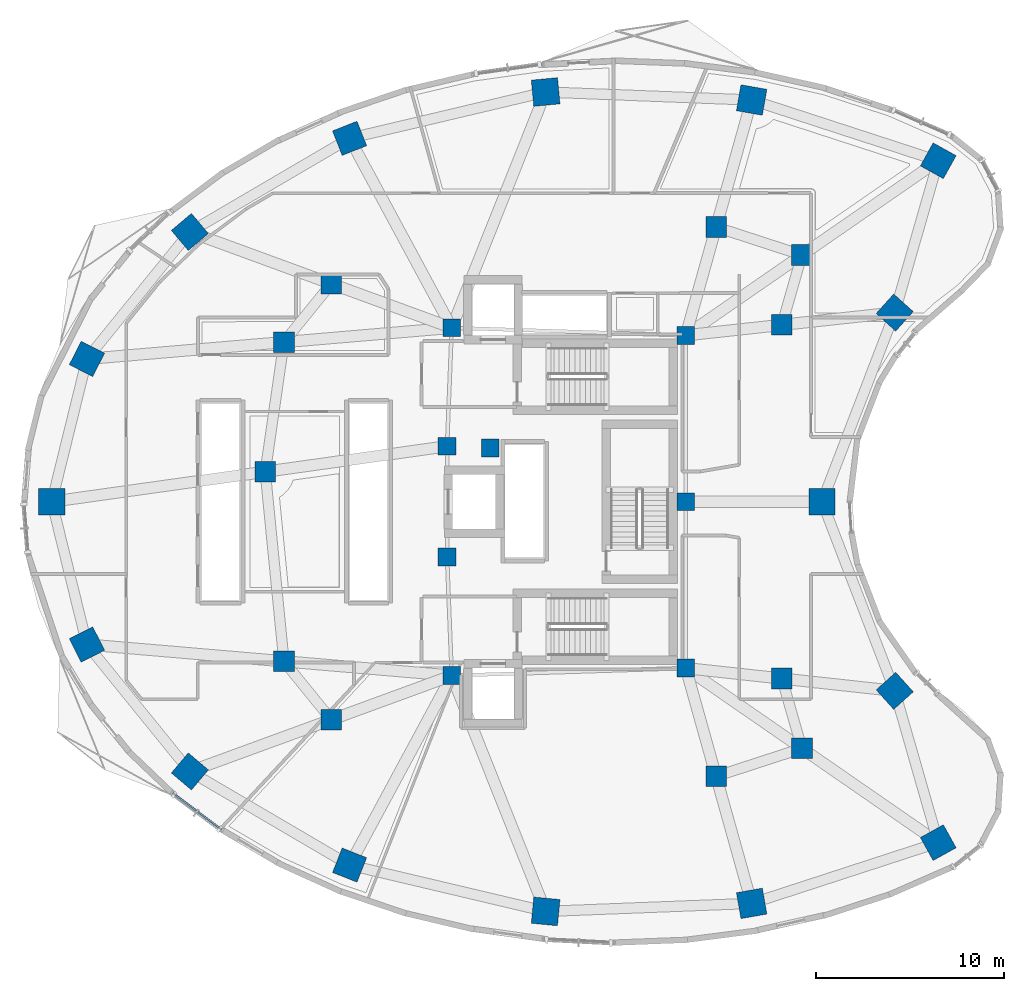
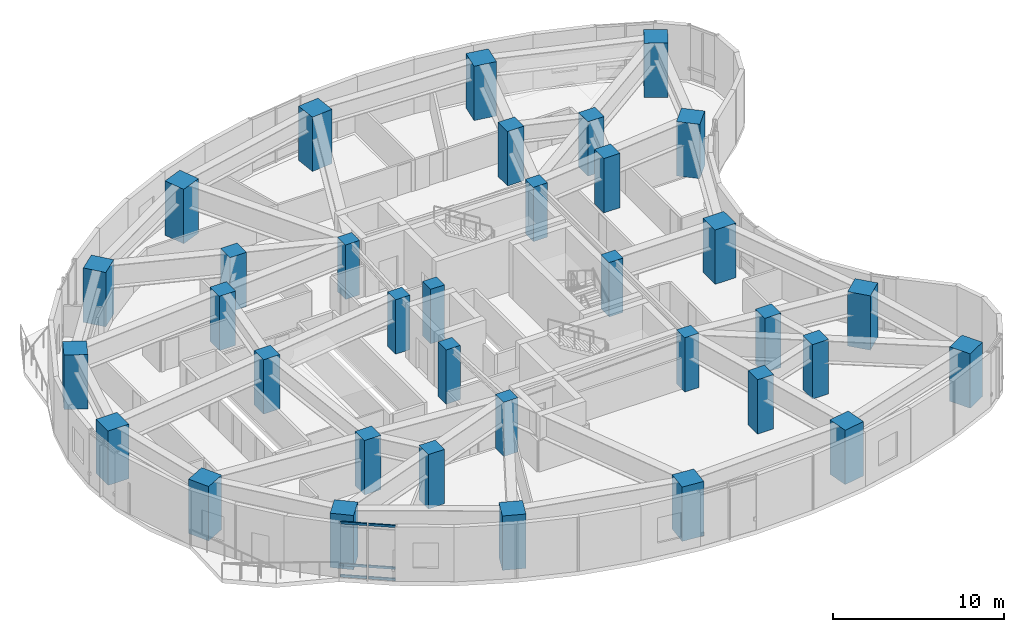
# One storey, part 1 of 13: 35 columns, 6 members, 1 element without a shape of its own.
"""IFC4 building model written with IfcOpenShell, lengths in metres."""

from ifc_helpers import new_model, si_unit, direction, frame, origin, origin_2d, place, context, subcontext, project, spatial, rectangle, extrude, material, layer, layer_set, material_profile, profile_set, type_object, element, aggregate, save


model = new_model("IFC4")

# Units and contexts
model_context = context("Model", 3, precision=1e-05, world=origin(), true_north=direction((0.0, 1.0)))
body_context = subcontext(model_context, "Body", "Model", "MODEL_VIEW")
ifc_project = project(units=[si_unit("LENGTHUNIT", "METRE"), si_unit("AREAUNIT", "SQUARE_METRE"), si_unit("VOLUMEUNIT", "CUBIC_METRE"), si_unit("PLANEANGLEUNIT", "RADIAN"), si_unit("MASSUNIT", "GRAM", prefix="KILO")], contexts=[model_context])

# Site, building, storey
site_placement = place(None, origin())
site = spatial("IfcSite", under=ifc_project, at=site_placement, CompositionType="ELEMENT")
building_placement = place(site_placement, origin())
building = spatial("IfcBuilding", under=site, at=building_placement, Name="Korentha Bioscience Tower", CompositionType="ELEMENT")
storey_placement = place(building_placement, frame((0.0, 0.0, 80.39990234375)))
storey = spatial("IfcBuildingStorey", under=building, at=storey_placement, Name="L18", CompositionType="ELEMENT", Elevation=80.39990234375)

# Columns
ifc_material_1 = material(Name="Concrete C65", Category="concrete")
ifc_material_profile_1 = material_profile(ifc_material_1, rectangle(XDim=0.949951171875, YDim=0.949951171875, at=origin_2d()), Name="Concrete C65")
ifc_profile_set_1 = profile_set([ifc_material_profile_1], Name="Concrete C65 (COL-CP09)")
column_type_1 = type_object("IfcColumnType", Name="Core Pilaster Column RC 950x950", PredefinedType="PILASTER", material=ifc_profile_set_1)
for number, where, z_axis, x_axis, name in (
    (1, (37.550048828125, 35.85009765625, -0.00048828125), (0.0, 0.0, 1.0), (1.0, 0.0, 0.0), "L18 Core Pilaster CP-01"),
    (2, (25.10009765625, 36.25, -0.00048828125), (0.0, 0.0, 1.0), (1.0, 0.0, 0.0), "L18 Core Pilaster CP-02"),
    (3, (24.85009765625, 29.949951171875, -0.00048828125), (0.0, 0.0, 1.0), (1.0, 0.0, 0.0), "L18 Core Pilaster CP-03"),
    (4, (27.14990234375, 29.85009765625, -0.00048828125), (0.0, 0.0, 1.0), (1.0, 0.0, 0.0), "L18 Core Pilaster CP-04"),
    (5, (24.85009765625, 24.050048828125, -0.00048828125), (0.0, 0.0, 1.0), (1.0, 0.0, 0.0), "L18 Core Pilaster CP-05"),
    (6, (25.10009765625, 17.75, -0.00048828125), (0.0, 0.0, 1.0), (1.0, 0.0, 0.0), "L18 Core Pilaster CP-06"),
    (7, (37.550048828125, 18.14990234375, -0.00048828125), (0.0, 0.0, 1.0), (1.0, 0.0, 0.0), "L18 Core Pilaster CP-07"),
    (8, (37.550048828125, 27.0, -0.00048828125), (0.0, 0.0, 1.0), (1.0, 0.0, 0.0), "L18 Core Pilaster CP-08"),
):
    element("IfcColumn", number, at=place(storey_placement, frame(where, z_axis=z_axis, x_axis=x_axis)), inside=storey, type_object=column_type_1, Name=name, PredefinedType="PILASTER", context=body_context, shape_type="SweptSolid", body=[
        extrude(rectangle(XDim=0.949951171875, YDim=0.949951171875, at=origin_2d()), origin(), (0.0, 0.0, 1.0), 3.881103515625),
    ])
ifc_material_2 = material(Name="Concrete C80", Category="concrete")
ifc_material_profile_2 = material_profile(ifc_material_2, rectangle(XDim=1.10009765625, YDim=1.10009765625, at=origin_2d()), Name="Concrete C80")
ifc_profile_set_2 = profile_set([ifc_material_profile_2], Name="Concrete C80 (COL-MR11)")
column_type_2 = type_object("IfcColumnType", Name="Mid-Ring Lab Column RC 1100x1100", PredefinedType="COLUMN", material=ifc_profile_set_2)
for number, where, z_axis, x_axis, name in (
    (9, (43.7265625, 40.121337890625, -0.00048828125), (0.0, 0.0, 1.0), (1.0, 0.0, 0.0), "L18 Mid-Ring Column 01"),
    (10, (39.1611328125, 41.607666015625, -0.00048828125), (0.0, 0.0, 1.0), (1.0, 0.0, 0.0), "L18 Mid-Ring Column 02"),
    (11, (18.692138671875, 38.5947265625, -0.00048828125), (0.0, 0.0, 1.0), (1.0, 0.0, 0.0), "L18 Mid-Ring Column 05"),
    (12, (16.174072265625, 35.489013671875, -0.00048828125), (0.0, 0.0, 1.0), (1.0, 0.0, 0.0), "L18 Mid-Ring Column 06"),
    (13, (15.1787109375, 28.593505859375, -0.00048828125), (0.0, 0.0, 1.0), (1.0, 0.0, 0.0), "L18 Mid-Ring Column 07"),
    (14, (16.174072265625, 18.510986328125, -0.00048828125), (0.0, 0.0, 1.0), (1.0, 0.0, 0.0), "L18 Mid-Ring Column 08"),
    (15, (18.692138671875, 15.4052734375, -0.00048828125), (0.0, 0.0, 1.0), (1.0, 0.0, 0.0), "L18 Mid-Ring Column 09"),
    (16, (39.1611328125, 12.392333984375, -0.00048828125), (0.0, 0.0, 1.0), (1.0, 0.0, 0.0), "L18 Mid-Ring Column 12"),
    (17, (43.7265625, 13.878662109375, -0.00048828125), (0.0, 0.0, 1.0), (1.0, 0.0, 0.0), "L18 Mid-Ring Column 13"),
    (18, (42.66162109375, 17.593017578125, -0.00048828125), (0.0, 0.0, 1.0), (1.0, 0.0, 0.0), "L18 Mid-Ring Column 14"),
    (19, (42.66162109375, 36.406982421875, -0.00048828125), (0.0, 0.0, 1.0), (1.0, 0.0, 0.0), "L18 Mid-Ring Column 16"),
):
    element("IfcColumn", number, at=place(storey_placement, frame(where, z_axis=z_axis, x_axis=x_axis)), inside=storey, type_object=column_type_2, Name=name, PredefinedType="COLUMN", context=body_context, shape_type="SweptSolid", body=[
        extrude(rectangle(XDim=1.10009765625, YDim=1.10009765625, at=origin_2d()), origin(), (0.0, 0.0, 1.0), 3.881103515625),
    ])
ifc_material_profile_3 = material_profile(ifc_material_2, rectangle(XDim=1.39990234375, YDim=1.39990234375, at=origin_2d()), Name="Concrete C80")
ifc_profile_set_3 = profile_set([ifc_material_profile_3], Name="Concrete C80 (COL-P14)")
column_type_3 = type_object("IfcColumnType", Name="Perimeter Column RC 1400x1400", PredefinedType="COLUMN", material=ifc_profile_set_3)
for number, where, z_axis, x_axis, name in (
    (20, (50.977294921875, 45.135498046875, -0.00048828125), (0.0, 0.0, 1.0), (-0.874535078577, 0.484962262797, 0.0), "L18 Perimeter Column 01"),
    (21, (41.052490234375, 48.36669921875, -0.00048828125), (0.0, 0.0, 1.0), (-0.984868307662, 0.173304404339, 0.0), "L18 Perimeter Column 02"),
    (22, (30.09423828125, 48.79248046875, -0.00048828125), (0.0, 0.0, 1.0), (0.995462868748, 0.095150811579, 0.0), "L18 Perimeter Column 03"),
    (23, (19.66650390625, 46.328857421875, -0.00048828125), (0.0, 0.0, 1.0), (0.930225540858, 0.366988341962, 0.0), "L18 Perimeter Column 04"),
    (24, (11.169921875, 41.34716796875, -0.00048828125), (0.0, 0.0, 1.0), (0.764246456939, 0.644924300253, 0.0), "L18 Perimeter Column 05"),
    (25, (5.69580078125, 34.595703125, -0.00048828125), (0.0, 0.0, 1.0), (0.453057191132, 0.891481453292, 0.0), "L18 Perimeter Column 06"),
    (26, (3.825439453125, 27.000732421875, -0.00048828125), (0.0, 0.0, 1.0), (0.0, 1.0, 0.0), "L18 Perimeter Column 07"),
    (27, (5.69580078125, 19.404296875, -0.00048828125), (0.0, 0.0, 1.0), (-0.453057191132, 0.891481453292, 0.0), "L18 Perimeter Column 08"),
    (28, (11.169921875, 12.65283203125, -0.00048828125), (0.0, 0.0, 1.0), (-0.764246456939, 0.644924300253, 0.0), "L18 Perimeter Column 09"),
    (29, (19.66650390625, 7.671142578125, -0.00048828125), (0.0, 0.0, 1.0), (-0.930225540858, 0.366988341962, 0.0), "L18 Perimeter Column 10"),
    (30, (30.09423828125, 5.20751953125, -0.00048828125), (0.0, 0.0, 1.0), (-0.995462868748, 0.095150811579, 0.0), "L18 Perimeter Column 11"),
    (31, (41.052490234375, 5.63330078125, -0.00048828125), (0.0, 0.0, 1.0), (0.984868307662, 0.173304404339, 0.0), "L18 Perimeter Column 12"),
    (32, (50.977294921875, 8.864501953125, -0.00048828125), (0.0, 0.0, 1.0), (0.874535078577, 0.484962262797, 0.0), "L18 Perimeter Column 13"),
    (33, (48.661865234375, 16.939208984375, -0.00048828125), (0.0, 0.0, 1.0), (-0.669130606359, 0.743144825477, 0.0), "L18 Perimeter Column 14"),
    (34, (44.798583984375, 27.0, -0.00048828125), (0.0, 0.0, 1.0), (0.0, 1.0, 0.0), "L18 Perimeter Column 15"),
    (35, (48.661865234375, 37.060791015625, -0.00048828125), (0.0, 0.0, 1.0), (0.669130606359, 0.743144825477, 0.0), "L18 Perimeter Column 16"),
):
    element("IfcColumn", number, at=place(storey_placement, frame(where, z_axis=z_axis, x_axis=x_axis)), inside=storey, type_object=column_type_3, Name=name, PredefinedType="COLUMN", context=body_context, shape_type="SweptSolid", body=[
        extrude(rectangle(XDim=1.39990234375, YDim=1.39990234375, at=origin_2d()), origin(), (0.0, 0.0, 1.0), 3.881103515625),
    ])

# Curtain wall, members
ifc_material_3 = material(Name="Thermally Broken Aluminium Frame", Category="aluminium")
ifc_layer = layer(ifc_material_3, 0.219970703125, Name="Thermally Broken Aluminium Frame")
ifc_layer_set = layer_set([ifc_layer], Name="Thermally Broken Aluminium Frame (CW-T2)")
curtain_wall_type = type_object("IfcCurtainWallType", Name="Solar-Screened Lab Unitised Curtain Wall CW-T2", PredefinedType="USERDEFINED", material=ifc_layer_set)
curtain_wall_placement = place(storey_placement, origin())
curtain_wall = element("IfcCurtainWall", 36, at=curtain_wall_placement, inside=storey, type_object=curtain_wall_type, Name="L18 Curtain Wall 25", ObjectType="UNITISED", PredefinedType="USERDEFINED")
ifc_material_4 = material(Name="Anodised Aluminium 6063-T6", Category="aluminium")
ifc_material_profile_4 = material_profile(ifc_material_4, rectangle(XDim=0.090087890625, YDim=0.159912109375, at=origin_2d()), Name="Anodised Aluminium 6063-T6")
ifc_profile_set_4 = profile_set([ifc_material_profile_4], Name="Anodised Aluminium 6063-T6 (CW-TRN)")
member_type = type_object("IfcMemberType", Name="Transom RECT 90x160", PredefinedType="USERDEFINED", material=ifc_profile_set_4)
member_1_placement = place(storey_placement, frame((10.2578125, 11.51171875, 0.045166015625), z_axis=(0.8008676283, -0.598841416354, 0.0), x_axis=(0.598841416354, 0.8008676283, 0.0)))
member_1 = element("IfcMember", 37, at=member_1_placement, type_object=member_type, Name="CW-L18-25 Bay 1 Transom 1", ObjectType="TRANSOM", PredefinedType="USERDEFINED", context=body_context, shape_type="SweptSolid", body=[
    extrude(rectangle(XDim=0.090087890625, YDim=0.159912109375, at=origin_2d()), origin(), (0.0, 0.0, 1.0), 1.58544921875),
])
member_2_placement = place(storey_placement, frame((10.2578125, 11.51171875, 0.85009765625), z_axis=(0.8008676283, -0.598841416354, 0.0), x_axis=(0.598841416354, 0.8008676283, 0.0)))
member_2 = element("IfcMember", 38, at=member_2_placement, type_object=member_type, Name="CW-L18-25 Bay 1 Transom 2", ObjectType="TRANSOM", PredefinedType="USERDEFINED", context=body_context, shape_type="SweptSolid", body=[
    extrude(rectangle(XDim=0.090087890625, YDim=0.159912109375, at=origin_2d()), origin(), (0.0, 0.0, 1.0), 1.58544921875),
])
member_3_placement = place(storey_placement, frame((10.2578125, 11.51171875, 3.835205078125), z_axis=(0.8008676283, -0.598841416354, 0.0), x_axis=(0.598841416354, 0.8008676283, 0.0)))
member_3 = element("IfcMember", 39, at=member_3_placement, type_object=member_type, Name="CW-L18-25 Bay 1 Transom 3", ObjectType="TRANSOM", PredefinedType="USERDEFINED", context=body_context, shape_type="SweptSolid", body=[
    extrude(rectangle(XDim=0.090087890625, YDim=0.159912109375, at=origin_2d()), origin(), (0.0, 0.0, 1.0), 1.58544921875),
])
member_4_placement = place(storey_placement, frame((11.599609375, 10.50830078125, 0.045166015625), z_axis=(0.800738536228, -0.59901402037, 0.0), x_axis=(0.59901402037, 0.800738536228, 0.0)))
member_4 = element("IfcMember", 40, at=member_4_placement, type_object=member_type, Name="CW-L18-25 Bay 2 Transom 1", ObjectType="TRANSOM", PredefinedType="USERDEFINED", context=body_context, shape_type="SweptSolid", body=[
    extrude(rectangle(XDim=0.090087890625, YDim=0.159912109375, at=origin_2d()), origin(), (0.0, 0.0, 1.0), 1.58544921875),
])
member_5_placement = place(storey_placement, frame((11.599609375, 10.50830078125, 0.85009765625), z_axis=(0.800738536228, -0.59901402037, 0.0), x_axis=(0.59901402037, 0.800738536228, 0.0)))
member_5 = element("IfcMember", 41, at=member_5_placement, type_object=member_type, Name="CW-L18-25 Bay 2 Transom 2", ObjectType="TRANSOM", PredefinedType="USERDEFINED", context=body_context, shape_type="SweptSolid", body=[
    extrude(rectangle(XDim=0.090087890625, YDim=0.159912109375, at=origin_2d()), origin(), (0.0, 0.0, 1.0), 1.58544921875),
])
member_6_placement = place(storey_placement, frame((11.599609375, 10.50830078125, 3.835205078125), z_axis=(0.800738536228, -0.59901402037, 0.0), x_axis=(0.59901402037, 0.800738536228, 0.0)))
member_6 = element("IfcMember", 42, at=member_6_placement, type_object=member_type, Name="CW-L18-25 Bay 2 Transom 3", ObjectType="TRANSOM", PredefinedType="USERDEFINED", context=body_context, shape_type="SweptSolid", body=[
    extrude(rectangle(XDim=0.090087890625, YDim=0.159912109375, at=origin_2d()), origin(), (0.0, 0.0, 1.0), 1.58544921875),
])
aggregate(curtain_wall, [member_1, member_2, member_3, member_4, member_5, member_6])

save(model, "model.ifc")
